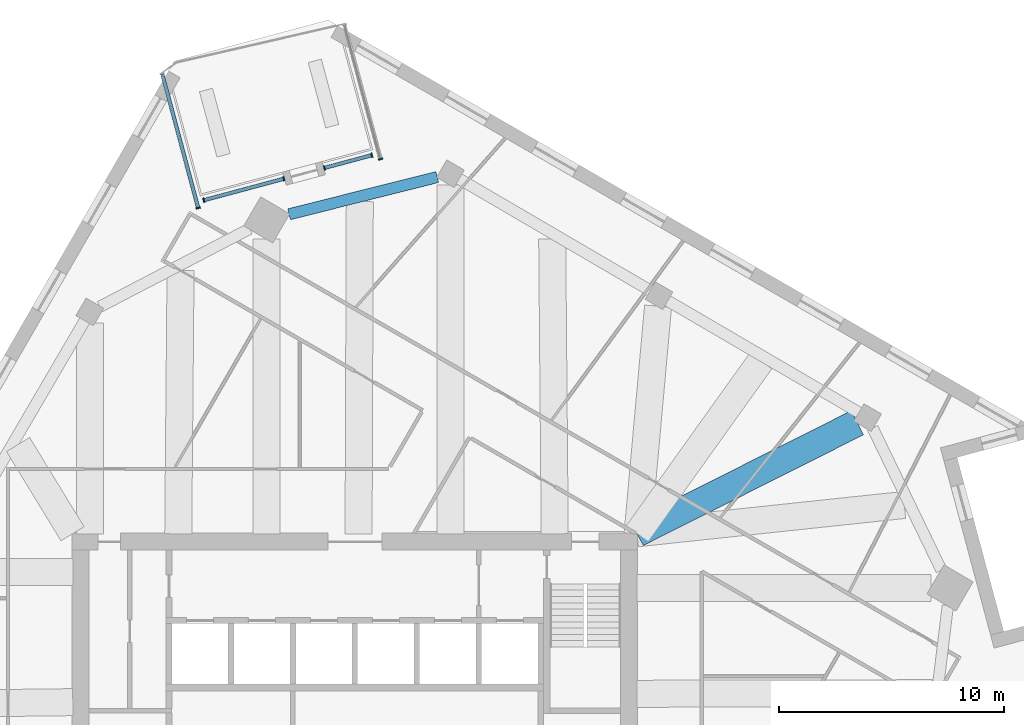
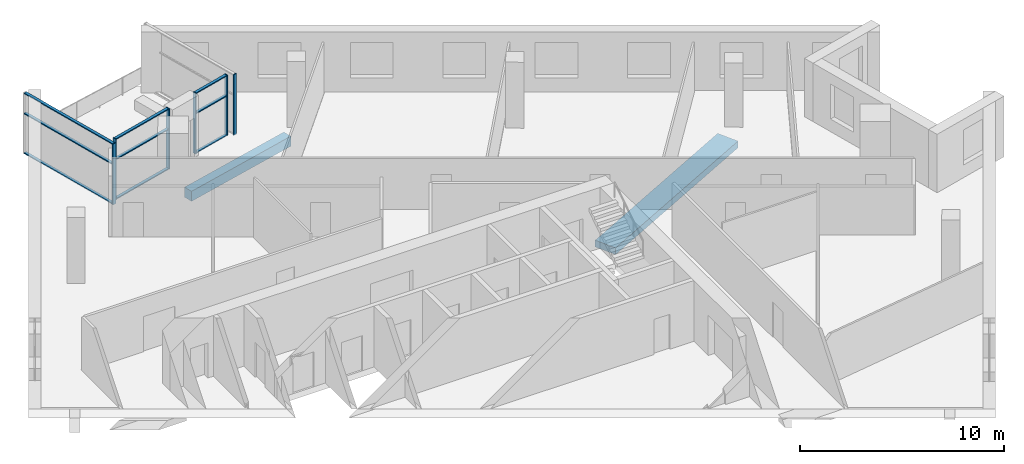
# One storey, part 2 of 13: 15 members, 2 beams, 4 elements without a shape of their own.
"""IFC4 building model written with IfcOpenShell, lengths in metres."""

import ifcopenshell
import ifcopenshell.guid

model = None  # the IFC model being written
_history = None  # IfcOwnerHistory: only IFC2X3 demands one
_inside = {}  # id of a spatial element -> (the spatial element, [elements in it])
_under = {}  # id of a project, library or spatial element -> (it, [spatial elements below it])
_declared = {}  # id of a project -> (the project, [libraries it declares])
_typed = {}  # id of a type object -> (the type object, [elements of that type])
_made_of = {}  # id of a material, layer set ... -> (it, [elements and type objects made of it])


def new_model(schema):
    """Start an empty IFC model of exactly this schema.

    Asked for "IFC4X3", IfcOpenShell would pick the latest addendum, in which some entities
    have other attributes; the version numbers below select the first issue.
    IFC2X3 requires an IfcOwnerHistory on every rooted entity: one is made here for all.
    """
    global model, _history
    if schema == "IFC4X3":
        model = ifcopenshell.file(schema_version=(4, 3, 0, 0))
    else:
        model = ifcopenshell.file(schema=schema)
    _inside.clear()
    _under.clear()
    _declared.clear()
    _typed.clear()
    _made_of.clear()
    _history = None
    if model.schema == "IFC2X3":
        org = make("IfcOrganization", Name="unknown")
        user = make(
            "IfcPersonAndOrganization",
            ThePerson=make("IfcPerson", FamilyName="unknown"),
            TheOrganization=org,
        )
        app = make(
            "IfcApplication",
            ApplicationDeveloper=org,
            Version="unknown",
            ApplicationFullName="unknown",
            ApplicationIdentifier="unknown",
        )
        _history = make(
            "IfcOwnerHistory",
            OwningUser=user,
            OwningApplication=app,
            ChangeAction="ADDED",
            CreationDate=0,
        )
    return model


def make(cls, **values):
    """One entity of the class cls with the attributes given. An attribute that is None is left unset."""
    return model.create_entity(
        cls, **{name: value for name, value in values.items() if value is not None}
    )


def rooted(cls, **values):
    """An entity with a GlobalId (a new one), such as an element, a storey or a relation."""
    return make(cls, GlobalId=ifcopenshell.guid.new(), OwnerHistory=_history, **values)


def si_unit(unit_type, name, prefix=None):
    """IfcSIUnit, for example si_unit("LENGTHUNIT", "METRE", prefix="MILLI")."""
    return make("IfcSIUnit", UnitType=unit_type, Prefix=prefix, Name=name)


def assignment(units):
    """IfcUnitAssignment: the units of a project."""
    return None if units is None else make("IfcUnitAssignment", Units=units)


def point(xyz):
    """IfcCartesianPoint."""
    return None if xyz is None else make("IfcCartesianPoint", Coordinates=xyz)


def direction(xyz):
    """IfcDirection."""
    return None if xyz is None else make("IfcDirection", DirectionRatios=xyz)


def frame(location, z_axis=None, x_axis=None):
    """IfcAxis2Placement3D, a coordinate frame: its origin and axes. An axis left out is left unset."""
    return make(
        "IfcAxis2Placement3D",
        Location=point(location),
        Axis=direction(z_axis),
        RefDirection=direction(x_axis),
    )


def frame_2d(location, x_axis=None):
    """IfcAxis2Placement2D, a coordinate frame in the plane: its origin and x axis."""
    return make(
        "IfcAxis2Placement2D", Location=point(location), RefDirection=direction(x_axis)
    )


def origin():
    """The frame at (0, 0, 0) with its axes left unset."""
    return frame((0.0, 0.0, 0.0))


def origin_2d():
    """The frame at (0, 0) in the plane with its x axis left unset."""
    return frame_2d((0.0, 0.0))


def place(relative_to, where):
    """IfcLocalPlacement: puts the frame where relative to a parent placement (None: the world)."""
    return make(
        "IfcLocalPlacement", PlacementRelTo=relative_to, RelativePlacement=where
    )


def context(
    kind, dimensions, precision=None, world=None, true_north=None, identifier=None
):
    """IfcGeometricRepresentationContext, for example the 3D "Model" context."""
    return make(
        "IfcGeometricRepresentationContext",
        ContextIdentifier=identifier,
        ContextType=kind,
        CoordinateSpaceDimension=dimensions,
        Precision=precision,
        WorldCoordinateSystem=world,
        TrueNorth=true_north,
    )


def subcontext(parent, identifier, kind, view, scale=None):
    """IfcGeometricRepresentationSubContext, for example "Body" below "Model"."""
    return make(
        "IfcGeometricRepresentationSubContext",
        ContextIdentifier=identifier,
        ContextType=kind,
        ParentContext=parent,
        TargetScale=scale,
        TargetView=view,
    )


def project(units=None, contexts=None):
    """IfcProject with its units and contexts."""
    return rooted(
        "IfcProject",
        Name="project",
        RepresentationContexts=contexts,
        UnitsInContext=assignment(units),
    )


def spatial(cls, under=None, at=None, **own):
    """A site, building, storey or space (cls), placed at a placement, below another one or the project."""
    s = rooted(cls, ObjectPlacement=at, **own)
    if under is not None:
        _under.setdefault(under.id(), (under, []))[1].append(s)
    return s


def profile(cls, at=None, kind="AREA", **sizes):
    """A parametric profile (cls). Its sizes go by their IFC names, for example OverallWidth=200.0."""
    return make(cls, ProfileType=kind, Position=at, **sizes)


def rectangle(**sizes):
    """IfcRectangleProfileDef."""
    return profile("IfcRectangleProfileDef", **sizes)


def extrude(swept, where, along, depth):
    """IfcExtrudedAreaSolid: the profile swept, set in the frame where, extruded along a direction by depth."""
    return make(
        "IfcExtrudedAreaSolid",
        SweptArea=swept,
        Position=where,
        ExtrudedDirection=direction(along),
        Depth=depth,
    )


def shape(context_of_items, identifier, shape_type, items):
    """IfcShapeRepresentation: the items that make up one representation, for example the "Body"."""
    return make(
        "IfcShapeRepresentation",
        ContextOfItems=context_of_items,
        RepresentationIdentifier=identifier,
        RepresentationType=shape_type,
        Items=items,
    )


def material(Name=None, Category=None):
    """IfcMaterial."""
    return make("IfcMaterial", Name=Name, Category=Category)


def material_profile(
    of_material, cross_section, Name=None, Category=None, Priority=None
):
    """IfcMaterialProfile: a cross section and its material."""
    return make(
        "IfcMaterialProfile",
        Name=Name,
        Material=of_material,
        Profile=cross_section,
        Priority=Priority,
        Category=Category,
    )


def profile_set(profiles, Name=None, composite=None):
    """IfcMaterialProfileSet."""
    return make(
        "IfcMaterialProfileSet",
        Name=Name,
        MaterialProfiles=profiles,
        CompositeProfile=composite,
    )


def made_of(thing, what):
    """Note that an element or type object is made of a material, layer set ...; save() writes the relation."""
    if what is not None:
        _made_of.setdefault(what.id(), (what, []))[1].append(thing)
    return thing


def type_object(cls, material=None, **own):
    """A type object (cls), such as IfcWallType, which elements share."""
    return made_of(rooted(cls, **own), material)


def element(
    cls,
    number,
    at=None,
    inside=None,
    cuts=None,
    type_object=None,
    material=None,
    context=None,
    identifier="Body",
    shape_type=None,
    held_by="IfcProductDefinitionShape",
    body=None,
    shapes=None,
    **own,
):
    """One element of the class cls, such as IfcWall. Its Tag is "e" and its number.

    at: its placement. inside: the storey or other place that contains it. cuts: it is an
    opening in that element (IfcRelVoidsElement). A single representation is given by context,
    identifier, shape_type and body (its items); several are given by shapes. held_by: the class
    of the entity that holds the representations. save() writes the other relations.
    """
    e = rooted(cls, Tag="e%d" % number, ObjectPlacement=at, **own)
    if body is not None:
        shapes = [shape(context, identifier, shape_type, body)]
    if shapes is not None:
        e.Representation = make(held_by, Representations=shapes)
    if inside is not None:
        _inside.setdefault(inside.id(), (inside, []))[1].append(e)
    if cuts is not None:
        rooted(
            "IfcRelVoidsElement", RelatingBuildingElement=cuts, RelatedOpeningElement=e
        )
    if type_object is not None:
        _typed.setdefault(type_object.id(), (type_object, []))[1].append(e)
    return made_of(e, material)


def aggregate(whole, parts):
    """IfcRelAggregates: a whole, such as a stair, and the parts it consists of."""
    return rooted("IfcRelAggregates", RelatingObject=whole, RelatedObjects=parts)


def save(model, path):
    """Write the relations noted so far, then the file.

    IfcRelAggregates (storeys below a building ...), IfcRelContainedInSpatialStructure (elements
    in a storey), IfcRelDefinesByType, IfcRelAssociatesMaterial and IfcRelDeclares: one each for
    every whole, place, type object, material and project.
    """
    for whole, parts in _under.values():
        aggregate(whole, parts)
    for where, things in _inside.values():
        rooted(
            "IfcRelContainedInSpatialStructure",
            RelatedElements=things,
            RelatingStructure=where,
        )
    for kind, things in _typed.values():
        rooted("IfcRelDefinesByType", RelatedObjects=things, RelatingType=kind)
    for what, things in _made_of.values():
        rooted("IfcRelAssociatesMaterial", RelatedObjects=things, RelatingMaterial=what)
    for by, libraries in _declared.values():
        rooted("IfcRelDeclares", RelatingContext=by, RelatedDefinitions=libraries)
    model.write(path)


model = new_model("IFC4")

# Units and contexts
model_context = context("Model", 3, precision=1e-05, world=origin(), true_north=direction((0.0, 1.0)))
body_context = subcontext(model_context, "Body", "Model", "MODEL_VIEW")
ifc_project = project(units=[si_unit("LENGTHUNIT", "METRE"), si_unit("AREAUNIT", "SQUARE_METRE"), si_unit("VOLUMEUNIT", "CUBIC_METRE"), si_unit("PLANEANGLEUNIT", "RADIAN"), si_unit("MASSUNIT", "GRAM", prefix="KILO")], contexts=[model_context])

# Site, building, storey
site_placement = place(None, origin())
site = spatial("IfcSite", under=ifc_project, at=site_placement, CompositionType="ELEMENT")
building_placement = place(site_placement, origin())
building = spatial("IfcBuilding", under=site, at=building_placement, Name="Dilmun Exchange Tower", CompositionType="ELEMENT")
storey_placement = place(building_placement, frame((0.0, 0.0, 270.89990234375)))
storey = spatial("IfcBuildingStorey", under=building, at=storey_placement, Name="L64", CompositionType="ELEMENT", Elevation=270.89990234375)

# Curtain wall, member
ifc_material_1 = material(Name="Anodised aluminium and clear glass", Category="aluminium")
curtain_wall_type = type_object("IfcCurtainWallType", Name="Garden corner glazing", PredefinedType="NOTDEFINED", material=ifc_material_1)
curtain_wall_1_placement = place(storey_placement, origin())
curtain_wall_1 = element("IfcCurtainWall", 1, at=curtain_wall_1_placement, inside=storey, type_object=curtain_wall_type, Name="Garden corner glazing run GC1.1", PredefinedType="NOTDEFINED")
ifc_material_2 = material(Name="Anodised aluminium", Category="aluminium")
ifc_material_profile_1 = material_profile(ifc_material_2, rectangle(XDim=0.199951171875, YDim=0.06005859375, at=origin_2d()), Name="AL 60x200")
ifc_profile_set_1 = profile_set([ifc_material_profile_1], Name="Anodised aluminium")
member_type_1 = type_object("IfcMemberType", Name="Garden corner glazing mullion 60 x 200", PredefinedType="MULLION", material=ifc_profile_set_1)
member_1_placement = place(storey_placement, frame((1.136962890625, 29.15380859375, 0.0), z_axis=(0.0, 0.0, 1.0), x_axis=(0.965925756145, 0.258819306883, 0.0)))
member_1 = element("IfcMember", 2, at=member_1_placement, type_object=member_type_1, Name="GC1.1 mullion 2", PredefinedType="MULLION", context=body_context, shape_type="SweptSolid", body=[
    extrude(rectangle(XDim=0.199951171875, YDim=0.06005859375, at=origin_2d()), origin(), (0.0, 0.0, 1.0), 3.64013671875),
])
aggregate(curtain_wall_1, [member_1])

# Curtain wall, members
curtain_wall_2_placement = place(storey_placement, origin())
curtain_wall_2 = element("IfcCurtainWall", 3, at=curtain_wall_2_placement, inside=storey, type_object=curtain_wall_type, Name="Garden corner glazing run GC2.1", PredefinedType="NOTDEFINED")
member_2_placement = place(storey_placement, frame((0.74853515625, 29.3291015625, 0.0), z_axis=(0.0, 0.0, 1.0), x_axis=(0.258810497317, -0.965928116621, 0.0)))
member_2 = element("IfcMember", 4, at=member_2_placement, type_object=member_type_1, Name="GC2.1 mullion 1", PredefinedType="MULLION", context=body_context, shape_type="SweptSolid", body=[
    extrude(rectangle(XDim=0.199951171875, YDim=0.06005859375, at=origin_2d()), origin(), (0.0, 0.0, 1.0), 3.64013671875),
])
member_3_placement = place(storey_placement, frame((-1.3564453125, 28.76513671875, 0.0), z_axis=(0.0, 0.0, 1.0), x_axis=(0.258810497317, -0.965928116621, 0.0)))
member_3 = element("IfcMember", 5, at=member_3_placement, type_object=member_type_1, Name="GC2.1 mullion 2", PredefinedType="MULLION", context=body_context, shape_type="SweptSolid", body=[
    extrude(rectangle(XDim=0.199951171875, YDim=0.06005859375, at=origin_2d()), origin(), (0.0, 0.0, 1.0), 3.64013671875),
])

curtain_wall_3_placement = place(storey_placement, origin())
curtain_wall_3 = element("IfcCurtainWall", 6, at=curtain_wall_3_placement, inside=storey, type_object=curtain_wall_type, Name="Garden corner glazing run GC2.3", PredefinedType="NOTDEFINED")
member_4_placement = place(storey_placement, frame((-3.153076171875, 28.28369140625, 0.0), z_axis=(0.0, 0.0, 1.0), x_axis=(0.258812731, -0.965927518126, 0.0)))
member_4 = element("IfcMember", 7, at=member_4_placement, type_object=member_type_1, Name="GC2.3 mullion 1", PredefinedType="MULLION", context=body_context, shape_type="SweptSolid", body=[
    extrude(rectangle(XDim=0.199951171875, YDim=0.06005859375, at=origin_2d()), origin(), (0.0, 0.0, 1.0), 3.64013671875),
])
member_5_placement = place(storey_placement, frame((-6.706787109375, 27.33154296875, 0.0), z_axis=(0.0, 0.0, 1.0), x_axis=(0.258812731, -0.965927518126, 0.0)))
member_5 = element("IfcMember", 8, at=member_5_placement, type_object=member_type_1, Name="GC2.3 mullion 2", PredefinedType="MULLION", context=body_context, shape_type="SweptSolid", body=[
    extrude(rectangle(XDim=0.199951171875, YDim=0.06005859375, at=origin_2d()), origin(), (0.0, 0.0, 1.0), 3.64013671875),
])

# Curtain wall, member
curtain_wall_4_placement = place(storey_placement, origin())
curtain_wall_4 = element("IfcCurtainWall", 9, at=curtain_wall_4_placement, inside=storey, type_object=curtain_wall_type, Name="Garden corner glazing run GC3.1", PredefinedType="NOTDEFINED")
member_6_placement = place(storey_placement, frame((-6.95556640625, 26.9853515625, 0.0), z_axis=(0.0, 0.0, 1.0), x_axis=(-0.965925756145, -0.258819306883, 0.0)))
member_6 = element("IfcMember", 10, at=member_6_placement, type_object=member_type_1, Name="GC3.1 mullion 1", PredefinedType="MULLION", context=body_context, shape_type="SweptSolid", body=[
    extrude(rectangle(XDim=0.199951171875, YDim=0.06005859375, at=origin_2d()), origin(), (0.0, 0.0, 1.0), 3.64013671875),
])

# Member
ifc_material_profile_2 = material_profile(ifc_material_2, rectangle(XDim=0.159912109375, YDim=0.06005859375, at=origin_2d()), Name="AL 60x160")
ifc_profile_set_2 = profile_set([ifc_material_profile_2], Name="Anodised aluminium")
member_type_2 = type_object("IfcMemberType", Name="Garden corner glazing transom 60 x 160", PredefinedType="USERDEFINED", material=ifc_profile_set_2)
member_7_placement = place(storey_placement, frame((0.719482421875, 29.3212890625, 0.030029296875), z_axis=(-0.965939824014, -0.258766799229, 0.0), x_axis=(0.258766799229, -0.965939824014, 0.0)))
member_7 = element("IfcMember", 11, at=member_7_placement, type_object=member_type_2, Name="GC2.1 transom 1.1", ObjectType="TRANSOM", PredefinedType="USERDEFINED", context=body_context, shape_type="SweptSolid", body=[
    extrude(rectangle(XDim=0.159912109375, YDim=0.06005859375, at=origin_2d()), origin(), (0.0, 0.0, 1.0), 2.119140625),
])

member_8_placement = place(storey_placement, frame((0.719482421875, 29.3212890625, 2.400146484375), z_axis=(-0.965939824014, -0.258766799229, 0.0), x_axis=(0.258766799229, -0.965939824014, 0.0)))
member_8 = element("IfcMember", 12, at=member_8_placement, type_object=member_type_2, Name="GC2.1 transom 1.2", ObjectType="TRANSOM", PredefinedType="USERDEFINED", context=body_context, shape_type="SweptSolid", body=[
    extrude(rectangle(XDim=0.159912109375, YDim=0.06005859375, at=origin_2d()), origin(), (0.0, 0.0, 1.0), 2.119140625),
])

member_9_placement = place(storey_placement, frame((0.719482421875, 29.3212890625, 3.610107421875), z_axis=(-0.965939824014, -0.258766799229, 0.0), x_axis=(0.258766799229, -0.965939824014, 0.0)))
member_9 = element("IfcMember", 13, at=member_9_placement, type_object=member_type_2, Name="GC2.1 transom 1.3", ObjectType="TRANSOM", PredefinedType="USERDEFINED", context=body_context, shape_type="SweptSolid", body=[
    extrude(rectangle(XDim=0.159912109375, YDim=0.06005859375, at=origin_2d()), origin(), (0.0, 0.0, 1.0), 2.119140625),
])

aggregate(curtain_wall_2, [member_2, member_3, member_7, member_8, member_9])

member_10_placement = place(storey_placement, frame((-3.18212890625, 28.27587890625, 0.030029296875), z_axis=(-0.965934200247, -0.258787791043, 0.0), x_axis=(0.258787791043, -0.965934200247, 0.0)))
member_10 = element("IfcMember", 14, at=member_10_placement, type_object=member_type_2, Name="GC2.3 transom 1.1", ObjectType="TRANSOM", PredefinedType="USERDEFINED", context=body_context, shape_type="SweptSolid", body=[
    extrude(rectangle(XDim=0.159912109375, YDim=0.06005859375, at=origin_2d()), origin(), (0.0, 0.0, 1.0), 3.618896484375),
])

member_11_placement = place(storey_placement, frame((-3.18212890625, 28.27587890625, 2.400146484375), z_axis=(-0.965934200247, -0.258787791043, 0.0), x_axis=(0.258787791043, -0.965934200247, 0.0)))
member_11 = element("IfcMember", 15, at=member_11_placement, type_object=member_type_2, Name="GC2.3 transom 1.2", ObjectType="TRANSOM", PredefinedType="USERDEFINED", context=body_context, shape_type="SweptSolid", body=[
    extrude(rectangle(XDim=0.159912109375, YDim=0.06005859375, at=origin_2d()), origin(), (0.0, 0.0, 1.0), 3.618896484375),
])

member_12_placement = place(storey_placement, frame((-3.18212890625, 28.27587890625, 3.610107421875), z_axis=(-0.965934200247, -0.258787791043, 0.0), x_axis=(0.258787791043, -0.965934200247, 0.0)))
member_12 = element("IfcMember", 16, at=member_12_placement, type_object=member_type_2, Name="GC2.3 transom 1.3", ObjectType="TRANSOM", PredefinedType="USERDEFINED", context=body_context, shape_type="SweptSolid", body=[
    extrude(rectangle(XDim=0.159912109375, YDim=0.06005859375, at=origin_2d()), origin(), (0.0, 0.0, 1.0), 3.618896484375),
])

aggregate(curtain_wall_3, [member_4, member_5, member_10, member_11, member_12])

member_13_placement = place(storey_placement, frame((-6.96337890625, 27.014404296875, 0.030029296875), z_axis=(-0.258825719922, 0.965924037752, 0.0), x_axis=(-0.965924037752, -0.258825719922, 0.0)))
member_13 = element("IfcMember", 17, at=member_13_placement, type_object=member_type_2, Name="GC3.1 transom 1.1", ObjectType="TRANSOM", PredefinedType="USERDEFINED", context=body_context, shape_type="SweptSolid", body=[
    extrude(rectangle(XDim=0.159912109375, YDim=0.06005859375, at=origin_2d()), origin(), (0.0, 0.0, 1.0), 6.12646484375),
])

member_14_placement = place(storey_placement, frame((-6.96337890625, 27.014404296875, 2.400146484375), z_axis=(-0.258825719922, 0.965924037752, 0.0), x_axis=(-0.965924037752, -0.258825719922, 0.0)))
member_14 = element("IfcMember", 18, at=member_14_placement, type_object=member_type_2, Name="GC3.1 transom 1.2", ObjectType="TRANSOM", PredefinedType="USERDEFINED", context=body_context, shape_type="SweptSolid", body=[
    extrude(rectangle(XDim=0.159912109375, YDim=0.06005859375, at=origin_2d()), origin(), (0.0, 0.0, 1.0), 6.12646484375),
])

member_15_placement = place(storey_placement, frame((-6.96337890625, 27.014404296875, 3.610107421875), z_axis=(-0.258825719922, 0.965924037752, 0.0), x_axis=(-0.965924037752, -0.258825719922, 0.0)))
member_15 = element("IfcMember", 19, at=member_15_placement, type_object=member_type_2, Name="GC3.1 transom 1.3", ObjectType="TRANSOM", PredefinedType="USERDEFINED", context=body_context, shape_type="SweptSolid", body=[
    extrude(rectangle(XDim=0.159912109375, YDim=0.06005859375, at=origin_2d()), origin(), (0.0, 0.0, 1.0), 6.12646484375),
])

aggregate(curtain_wall_4, [member_6, member_13, member_14, member_15])

# Beams
ifc_material_3 = material(Name="Concrete C40/50", Category="concrete")
ifc_material_profile_3 = material_profile(ifc_material_3, rectangle(XDim=1.199951171875, YDim=0.39990234375, at=origin_2d()), Name="1200 x 400")
ifc_profile_set_3 = profile_set([ifc_material_profile_3], Name="Concrete C40/50")
beam_type_1 = type_object("IfcBeamType", Name="RC band beam 1200 x 400 C40/50", PredefinedType="BEAM", material=ifc_profile_set_3)
beam_1_placement = place(storey_placement, frame((22.302734375, 17.453125, -0.659912109375), z_axis=(-0.893443377394, -0.449175835716, 0.0), x_axis=(0.449175835716, -0.893443377394, 0.0)))
element("IfcBeam", 20, at=beam_1_placement, inside=storey, type_object=beam_type_1, Name="Band beam 14", PredefinedType="BEAM", context=body_context, shape_type="SweptSolid", body=[
    extrude(rectangle(XDim=1.199951171875, YDim=0.39990234375, at=origin_2d()), origin(), (0.0, 0.0, 1.0), 10.94287109375),
])
ifc_material_profile_4 = material_profile(ifc_material_3, rectangle(XDim=0.5, YDim=0.60009765625, at=origin_2d()), Name="500 x 600")
ifc_profile_set_4 = profile_set([ifc_material_profile_4], Name="Concrete C40/50")
beam_type_2 = type_object("IfcBeamType", Name="RC ring beam 500 x 600 C40/50", PredefinedType="SPANDREL", material=ifc_profile_set_4)
beam_2_placement = place(storey_placement, frame((3.6552734375, 28.359130859375, -0.659912109375), z_axis=(-0.969853854997, -0.243687299522, 0.0), x_axis=(0.243687299522, -0.969853854997, 0.0)))
element("IfcBeam", 21, at=beam_2_placement, inside=storey, type_object=beam_type_2, Name="Ring beam 16", PredefinedType="SPANDREL", context=body_context, shape_type="SweptSolid", body=[
    extrude(rectangle(XDim=0.5, YDim=0.60009765625, at=origin_2d()), origin(), (0.0, 0.0, 1.0), 6.78271484375),
])

save(model, "model.ifc")
